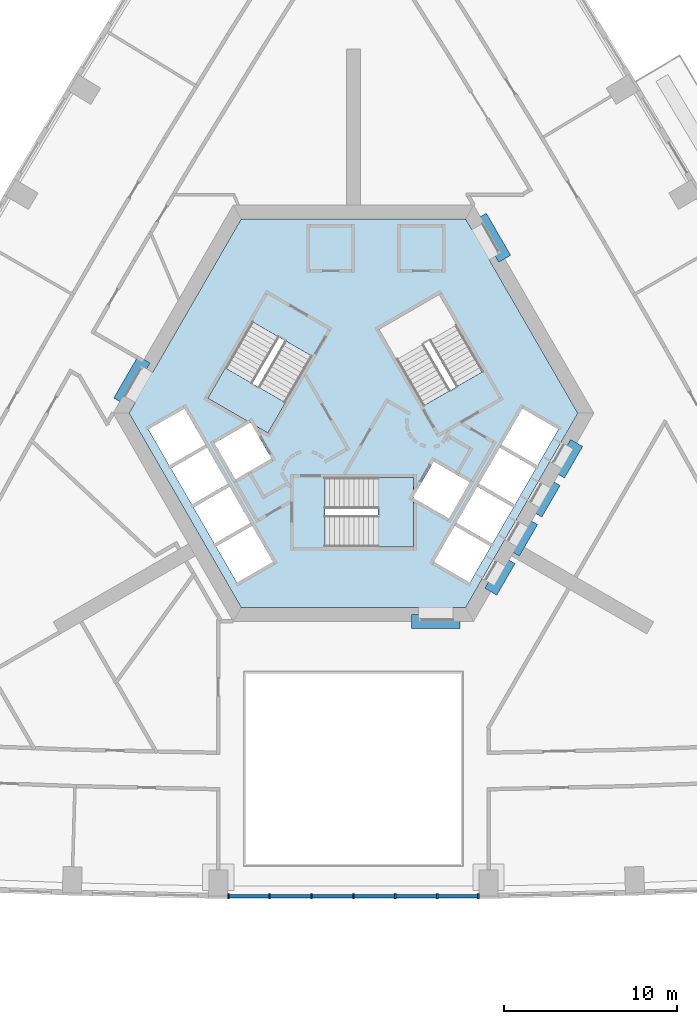
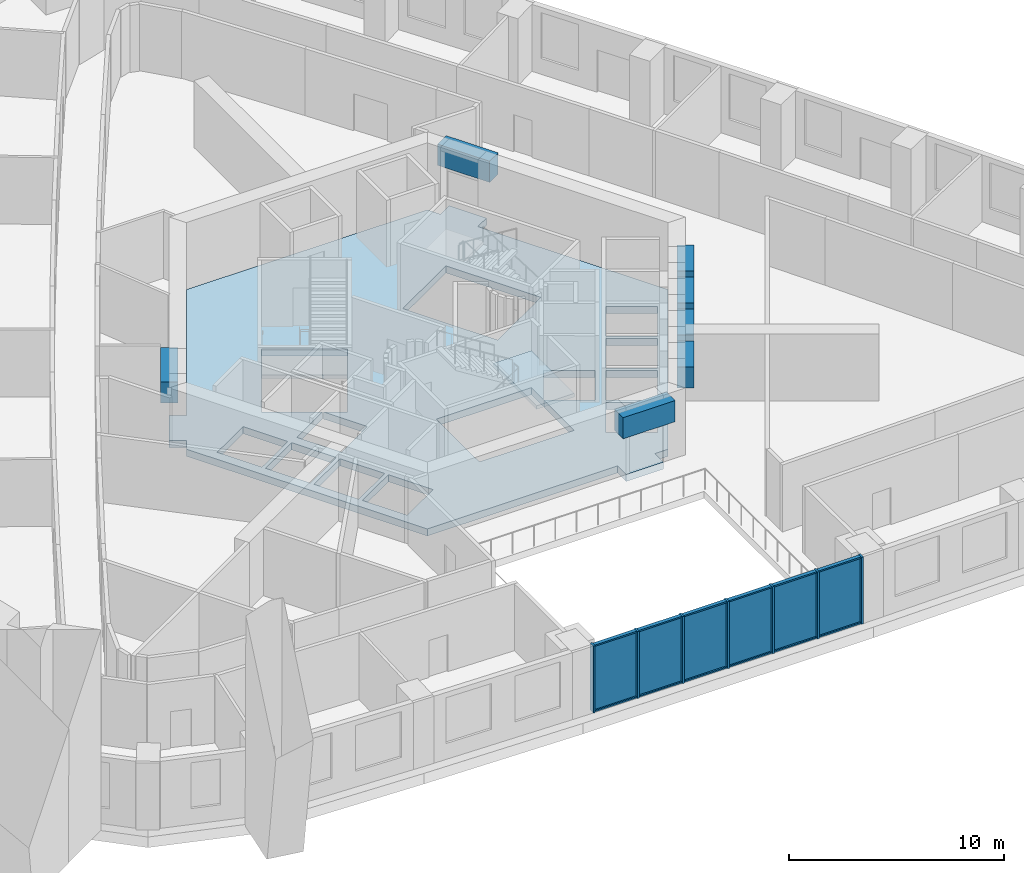
# One storey, part 2 of 14: 19 members, 7 beams, 6 plates, 3 slabs, 3 elements without a shape of their own.
"""IFC4 building model written with IfcOpenShell, lengths in metres."""

from ifc_helpers import new_model, si_unit, direction, frame, origin, origin_2d, place, context, subcontext, project, spatial, polyline, rectangle, outline, extrude, material, layer, layer_set, material_profile, profile_set, type_object, element, aggregate, save


model = new_model("IFC4")

# Units and contexts
model_context = context("Model", 3, precision=1e-05, world=origin(), true_north=direction((0.0, 1.0)))
body_context = subcontext(model_context, "Body", "Model", "MODEL_VIEW")
ifc_project = project(units=[si_unit("LENGTHUNIT", "METRE"), si_unit("AREAUNIT", "SQUARE_METRE"), si_unit("VOLUMEUNIT", "CUBIC_METRE"), si_unit("PLANEANGLEUNIT", "RADIAN"), si_unit("MASSUNIT", "GRAM", prefix="KILO")], contexts=[model_context])

# Site, building, storey
site_placement = place(None, origin())
site = spatial("IfcSite", under=ifc_project, at=site_placement, CompositionType="ELEMENT")
building_placement = place(site_placement, origin())
building = spatial("IfcBuilding", under=site, at=building_placement, Name="Entoto Arch Interchange Tower", CompositionType="ELEMENT")
storey_placement = place(building_placement, frame((0.0, 0.0, 163.39990234375)))
storey = spatial("IfcBuildingStorey", under=building, at=storey_placement, Name="L36", CompositionType="ELEMENT", Elevation=163.39990234375)

# Beams
ifc_material_1 = material(Name="Concrete C50/60", Category="concrete")
ifc_material_profile_1 = material_profile(ifc_material_1, rectangle(XDim=0.800048828125, YDim=1.199951171875, at=origin_2d()))
ifc_profile_set_1 = profile_set([ifc_material_profile_1], Name="Concrete C50/60")
beam_type = type_object("IfcBeamType", Name="Coupling beam RC 800x1200 C50/60", PredefinedType="BEAM", material=ifc_profile_set_1)
for number, where, z_axis, x_axis, name in (
    (1, (8.717041015625, 11.402099609375, 3.0), (-0.500200581029, 0.865909567298, 0.0), (-0.865909567298, -0.500200581029, 0.0), "Coupling beam NE L36"),
    (2, (-12.06689453125, 5.597900390625, 3.0), (-0.500200581029, -0.865909567298, 0.0), (0.865909567298, -0.500200581029, 0.0), "Coupling beam NW L36"),
):
    element("IfcBeam", number, at=place(storey_placement, frame(where, z_axis=z_axis, x_axis=x_axis)), inside=storey, type_object=beam_type, Name=name, PredefinedType="BEAM", context=body_context, shape_type="SweptSolid", body=[
        extrude(rectangle(XDim=0.800048828125, YDim=1.199951171875, at=origin_2d()), origin(), (0.0, 0.0, 1.0), 2.799072265625),
    ])
beam_1_placement = place(storey_placement, frame((3.35009765625, -9.5, 3.0), z_axis=(1.0, 0.0, 0.0), x_axis=(0.0, 1.0, 0.0)))
element("IfcBeam", 3, at=beam_1_placement, inside=storey, type_object=beam_type, Name="Coupling beam S L36", PredefinedType="BEAM", context=body_context, shape_type="SweptSolid", body=[
    extrude(rectangle(XDim=0.800048828125, YDim=1.199951171875, at=origin_2d()), origin(), (0.0, 0.0, 1.0), 2.7998046875),
])
for number, where, z_axis, x_axis, name in (
    (4, (7.9169921875, -7.785888671875, 3.0), (0.500178781653, 0.865922159541, 0.0), (-0.865922159541, 0.500178781653, 0.0), "Coupling beam SE L36"),
    (5, (9.217041015625, -5.534912109375, 3.0), (0.500178781653, 0.865922159541, 0.0), (-0.865922159541, 0.500178781653, 0.0), "Coupling beam SE L36"),
):
    element("IfcBeam", number, at=place(storey_placement, frame(where, z_axis=z_axis, x_axis=x_axis)), inside=storey, type_object=beam_type, Name=name, PredefinedType="BEAM", context=body_context, shape_type="SweptSolid", body=[
        extrude(rectangle(XDim=0.800048828125, YDim=1.199951171875, at=origin_2d()), origin(), (0.0, 0.0, 1.0), 2.099365234375),
    ])
beam_2_placement = place(storey_placement, frame((10.51708984375, -3.282958984375, 3.0), z_axis=(0.500091574638, 0.865972526687, 0.0), x_axis=(-0.865972526687, 0.500091574638, 0.0)))
element("IfcBeam", 6, at=beam_2_placement, inside=storey, type_object=beam_type, Name="Coupling beam SE L36", PredefinedType="BEAM", context=body_context, shape_type="SweptSolid", body=[
    extrude(rectangle(XDim=0.800048828125, YDim=1.199951171875, at=origin_2d()), origin(), (0.0, 0.0, 1.0), 2.09912109375),
])
beam_3_placement = place(storey_placement, frame((11.81689453125, -1.031982421875, 3.0), z_axis=(0.500178781653, 0.865922159541, 0.0), x_axis=(-0.865922159541, 0.500178781653, 0.0)))
element("IfcBeam", 7, at=beam_3_placement, inside=storey, type_object=beam_type, Name="Coupling beam SE L36", PredefinedType="BEAM", context=body_context, shape_type="SweptSolid", body=[
    extrude(rectangle(XDim=0.800048828125, YDim=1.199951171875, at=origin_2d()), origin(), (0.0, 0.0, 1.0), 2.099365234375),
])

# Curtain wall, members
ifc_material_2 = material(Name="Aluminium, anodised", Category="aluminium")
curtain_wall_type = type_object("IfcCurtainWallType", Name="CURTAIN WALL ATRIUM", PredefinedType="NOTDEFINED", material=ifc_material_2)
curtain_wall_placement = place(storey_placement, origin())
curtain_wall = element("IfcCurtainWall", 8, at=curtain_wall_placement, inside=storey, type_object=curtain_wall_type, Name="Atrium glazing S-03 L36", PredefinedType="NOTDEFINED")
ifc_material_profile_2 = material_profile(ifc_material_2, rectangle(XDim=0.300048828125, YDim=0.10009765625, at=origin_2d()))
ifc_profile_set_2 = profile_set([ifc_material_profile_2], Name="Aluminium, anodised")
member_type_1 = type_object("IfcMemberType", Name="MULLION ATRIUM 100x300", PredefinedType="MULLION", material=ifc_profile_set_2)
member_1_placement = place(storey_placement, frame((-7.198974609375, -25.347900390625, 0.0), z_axis=(0.0, 0.0, 1.0), x_axis=(0.0, 1.0, 0.0)))
member_1 = element("IfcMember", 9, at=member_1_placement, type_object=member_type_1, Name="CWA mullion 1", PredefinedType="MULLION", context=body_context, shape_type="SweptSolid", body=[
    extrude(rectangle(XDim=0.300048828125, YDim=0.10009765625, at=origin_2d()), origin(), (0.0, 0.0, 1.0), 3.800048828125),
])
member_2_placement = place(storey_placement, frame((-4.832763671875, -25.347900390625, 0.0), z_axis=(0.0, 0.0, 1.0), x_axis=(0.0, 1.0, 0.0)))
member_2 = element("IfcMember", 10, at=member_2_placement, type_object=member_type_1, Name="CWA mullion 2", PredefinedType="MULLION", context=body_context, shape_type="SweptSolid", body=[
    extrude(rectangle(XDim=0.300048828125, YDim=0.10009765625, at=origin_2d()), origin(), (0.0, 0.0, 1.0), 3.800048828125),
])
member_3_placement = place(storey_placement, frame((-2.416259765625, -25.347900390625, 0.0), z_axis=(0.0, 0.0, 1.0), x_axis=(0.0, 1.0, 0.0)))
member_3 = element("IfcMember", 11, at=member_3_placement, type_object=member_type_1, Name="CWA mullion 3", PredefinedType="MULLION", context=body_context, shape_type="SweptSolid", body=[
    extrude(rectangle(XDim=0.300048828125, YDim=0.10009765625, at=origin_2d()), origin(), (0.0, 0.0, 1.0), 3.800048828125),
])
member_4_placement = place(storey_placement, frame((0.0, -25.347900390625, 0.0), z_axis=(0.0, 0.0, 1.0), x_axis=(0.0, 1.0, 0.0)))
member_4 = element("IfcMember", 12, at=member_4_placement, type_object=member_type_1, Name="CWA mullion 4", PredefinedType="MULLION", context=body_context, shape_type="SweptSolid", body=[
    extrude(rectangle(XDim=0.300048828125, YDim=0.10009765625, at=origin_2d()), origin(), (0.0, 0.0, 1.0), 3.800048828125),
])
member_5_placement = place(storey_placement, frame((2.416259765625, -25.347900390625, 0.0), z_axis=(0.0, 0.0, 1.0), x_axis=(0.0, 1.0, 0.0)))
member_5 = element("IfcMember", 13, at=member_5_placement, type_object=member_type_1, Name="CWA mullion 5", PredefinedType="MULLION", context=body_context, shape_type="SweptSolid", body=[
    extrude(rectangle(XDim=0.300048828125, YDim=0.10009765625, at=origin_2d()), origin(), (0.0, 0.0, 1.0), 3.800048828125),
])
member_6_placement = place(storey_placement, frame((4.832763671875, -25.347900390625, 0.0), z_axis=(0.0, 0.0, 1.0), x_axis=(0.0, 1.0, 0.0)))
member_6 = element("IfcMember", 14, at=member_6_placement, type_object=member_type_1, Name="CWA mullion 6", PredefinedType="MULLION", context=body_context, shape_type="SweptSolid", body=[
    extrude(rectangle(XDim=0.300048828125, YDim=0.10009765625, at=origin_2d()), origin(), (0.0, 0.0, 1.0), 3.800048828125),
])
member_7_placement = place(storey_placement, frame((7.198974609375, -25.347900390625, 0.0), z_axis=(0.0, 0.0, 1.0), x_axis=(0.0, 1.0, 0.0)))
member_7 = element("IfcMember", 15, at=member_7_placement, type_object=member_type_1, Name="CWA mullion 7", PredefinedType="MULLION", context=body_context, shape_type="SweptSolid", body=[
    extrude(rectangle(XDim=0.300048828125, YDim=0.10009765625, at=origin_2d()), origin(), (0.0, 0.0, 1.0), 3.800048828125),
])
ifc_material_profile_3 = material_profile(ifc_material_2, rectangle(XDim=0.199951171875, YDim=0.080078125, at=origin_2d()))
ifc_profile_set_3 = profile_set([ifc_material_profile_3], Name="Aluminium, anodised")
member_type_2 = type_object("IfcMemberType", Name="TRANSOM ATRIUM 80x200", PredefinedType="USERDEFINED", material=ifc_profile_set_3)
member_8_placement = place(storey_placement, frame((-7.14892578125, -25.347900390625, 0.0400390625), z_axis=(1.0, 0.0, 0.0), x_axis=(0.0, 1.0, 0.0)))
member_8 = element("IfcMember", 16, at=member_8_placement, type_object=member_type_2, Name="CWA transom 1.1", ObjectType="TRANSOM", PredefinedType="USERDEFINED", context=body_context, shape_type="SweptSolid", body=[
    extrude(rectangle(XDim=0.199951171875, YDim=0.080078125, at=origin_2d()), origin(), (0.0, 0.0, 1.0), 2.266357421875),
])
member_9_placement = place(storey_placement, frame((-7.14892578125, -25.347900390625, 3.760009765625), z_axis=(1.0, 0.0, 0.0), x_axis=(0.0, 1.0, 0.0)))
member_9 = element("IfcMember", 17, at=member_9_placement, type_object=member_type_2, Name="CWA transom 1.2", ObjectType="TRANSOM", PredefinedType="USERDEFINED", context=body_context, shape_type="SweptSolid", body=[
    extrude(rectangle(XDim=0.199951171875, YDim=0.080078125, at=origin_2d()), origin(), (0.0, 0.0, 1.0), 2.266357421875),
])
member_10_placement = place(storey_placement, frame((-4.78271484375, -25.347900390625, 0.0400390625), z_axis=(1.0, 0.0, 0.0), x_axis=(0.0, 1.0, 0.0)))
member_10 = element("IfcMember", 18, at=member_10_placement, type_object=member_type_2, Name="CWA transom 2.1", ObjectType="TRANSOM", PredefinedType="USERDEFINED", context=body_context, shape_type="SweptSolid", body=[
    extrude(rectangle(XDim=0.199951171875, YDim=0.080078125, at=origin_2d()), origin(), (0.0, 0.0, 1.0), 2.31640625),
])
member_11_placement = place(storey_placement, frame((-4.78271484375, -25.347900390625, 3.760009765625), z_axis=(1.0, 0.0, 0.0), x_axis=(0.0, 1.0, 0.0)))
member_11 = element("IfcMember", 19, at=member_11_placement, type_object=member_type_2, Name="CWA transom 2.2", ObjectType="TRANSOM", PredefinedType="USERDEFINED", context=body_context, shape_type="SweptSolid", body=[
    extrude(rectangle(XDim=0.199951171875, YDim=0.080078125, at=origin_2d()), origin(), (0.0, 0.0, 1.0), 2.31640625),
])
member_12_placement = place(storey_placement, frame((-2.366455078125, -25.347900390625, 0.0400390625), z_axis=(1.0, 0.0, 0.0), x_axis=(0.0, 1.0, 0.0)))
member_12 = element("IfcMember", 20, at=member_12_placement, type_object=member_type_2, Name="CWA transom 3.1", ObjectType="TRANSOM", PredefinedType="USERDEFINED", context=body_context, shape_type="SweptSolid", body=[
    extrude(rectangle(XDim=0.199951171875, YDim=0.080078125, at=origin_2d()), origin(), (0.0, 0.0, 1.0), 2.31640625),
])
member_13_placement = place(storey_placement, frame((-2.366455078125, -25.347900390625, 3.760009765625), z_axis=(1.0, 0.0, 0.0), x_axis=(0.0, 1.0, 0.0)))
member_13 = element("IfcMember", 21, at=member_13_placement, type_object=member_type_2, Name="CWA transom 3.2", ObjectType="TRANSOM", PredefinedType="USERDEFINED", context=body_context, shape_type="SweptSolid", body=[
    extrude(rectangle(XDim=0.199951171875, YDim=0.080078125, at=origin_2d()), origin(), (0.0, 0.0, 1.0), 2.31640625),
])
member_14_placement = place(storey_placement, frame((0.050048828125, -25.347900390625, 0.0400390625), z_axis=(1.0, 0.0, 0.0), x_axis=(0.0, 1.0, 0.0)))
member_14 = element("IfcMember", 22, at=member_14_placement, type_object=member_type_2, Name="CWA transom 4.1", ObjectType="TRANSOM", PredefinedType="USERDEFINED", context=body_context, shape_type="SweptSolid", body=[
    extrude(rectangle(XDim=0.199951171875, YDim=0.080078125, at=origin_2d()), origin(), (0.0, 0.0, 1.0), 2.31640625),
])
member_15_placement = place(storey_placement, frame((0.050048828125, -25.347900390625, 3.760009765625), z_axis=(1.0, 0.0, 0.0), x_axis=(0.0, 1.0, 0.0)))
member_15 = element("IfcMember", 23, at=member_15_placement, type_object=member_type_2, Name="CWA transom 4.2", ObjectType="TRANSOM", PredefinedType="USERDEFINED", context=body_context, shape_type="SweptSolid", body=[
    extrude(rectangle(XDim=0.199951171875, YDim=0.080078125, at=origin_2d()), origin(), (0.0, 0.0, 1.0), 2.31640625),
])
member_16_placement = place(storey_placement, frame((2.46630859375, -25.347900390625, 0.0400390625), z_axis=(1.0, 0.0, 0.0), x_axis=(0.0, 1.0, 0.0)))
member_16 = element("IfcMember", 24, at=member_16_placement, type_object=member_type_2, Name="CWA transom 5.1", ObjectType="TRANSOM", PredefinedType="USERDEFINED", context=body_context, shape_type="SweptSolid", body=[
    extrude(rectangle(XDim=0.199951171875, YDim=0.080078125, at=origin_2d()), origin(), (0.0, 0.0, 1.0), 2.31640625),
])
member_17_placement = place(storey_placement, frame((2.46630859375, -25.347900390625, 3.760009765625), z_axis=(1.0, 0.0, 0.0), x_axis=(0.0, 1.0, 0.0)))
member_17 = element("IfcMember", 25, at=member_17_placement, type_object=member_type_2, Name="CWA transom 5.2", ObjectType="TRANSOM", PredefinedType="USERDEFINED", context=body_context, shape_type="SweptSolid", body=[
    extrude(rectangle(XDim=0.199951171875, YDim=0.080078125, at=origin_2d()), origin(), (0.0, 0.0, 1.0), 2.31640625),
])
member_18_placement = place(storey_placement, frame((4.882568359375, -25.347900390625, 0.0400390625), z_axis=(1.0, 0.0, 0.0), x_axis=(0.0, 1.0, 0.0)))
member_18 = element("IfcMember", 26, at=member_18_placement, type_object=member_type_2, Name="CWA transom 6.1", ObjectType="TRANSOM", PredefinedType="USERDEFINED", context=body_context, shape_type="SweptSolid", body=[
    extrude(rectangle(XDim=0.199951171875, YDim=0.080078125, at=origin_2d()), origin(), (0.0, 0.0, 1.0), 2.266357421875),
])
member_19_placement = place(storey_placement, frame((4.882568359375, -25.347900390625, 3.760009765625), z_axis=(1.0, 0.0, 0.0), x_axis=(0.0, 1.0, 0.0)))
member_19 = element("IfcMember", 27, at=member_19_placement, type_object=member_type_2, Name="CWA transom 6.2", ObjectType="TRANSOM", PredefinedType="USERDEFINED", context=body_context, shape_type="SweptSolid", body=[
    extrude(rectangle(XDim=0.199951171875, YDim=0.080078125, at=origin_2d()), origin(), (0.0, 0.0, 1.0), 2.266357421875),
])

# Slab
ifc_material_3 = material(Name="Concrete C40/50", Category="concrete")
ifc_layer_1 = layer(ifc_material_3, 0.39990234375)
ifc_layer_set_1 = layer_set([ifc_layer_1], Name="Concrete C40/50")
slab_type_1 = type_object("IfcSlabType", Name="Core floor slab 400 C40/50", PredefinedType="FLOOR", material=ifc_layer_set_1)
slab_1_placement = place(storey_placement, frame((0.0, 0.0, -0.39990234375)))
element("IfcSlab", 28, at=slab_1_placement, inside=storey, type_object=slab_type_1, Name="Core floor slab L36", PredefinedType="FLOOR", context=body_context, shape_type="SweptSolid", body=[
    extrude(outline(polyline([(5.75, -9.5), (3.75, -9.5), (3.75, -8.699951171875), (-6.466064453125, -8.699951171875), (-12.93310546875, 2.5), (-12.574951171875, 3.1201171875), (-13.26708984375, 3.52001953125), (-12.26708984375, 5.251953125), (-11.574951171875, 4.85205078125), (-6.466064453125, 13.699951171875), (6.466064453125, 13.699951171875), (6.823974609375, 13.080078125), (7.51708984375, 13.47998046875), (8.51708984375, 11.748046875), (7.823974609375, 11.347900390625), (12.93310546875, 2.5), (6.466064453125, -8.699951171875), (5.75, -8.699951171875), (5.75, -9.5)]), holes=[polyline([(-5.837890625, -3.988037109375), (-7.916015625, -5.18798828125), (-6.716064453125, -7.26708984375), (-4.637939453125, -6.06689453125), (-5.837890625, -3.988037109375)]), polyline([(-5.93798828125, -3.81494140625), (-7.137939453125, -1.737060546875), (-9.216064453125, -2.93701171875), (-8.01611328125, -5.014892578125), (-5.93798828125, -3.81494140625)]), polyline([(5.5048828125, -3.56494140625), (6.705078125, -1.487060546875), (4.626953125, -0.287109375), (3.449951171875, -2.324951171875), (3.449951171875, -1.199951171875), (-1.64990234375, -1.199951171875), (-1.64990234375, -5.199951171875), (3.449951171875, -5.199951171875), (3.449951171875, -2.3779296875), (5.5048828125, -3.56494140625)]), polyline([(-8.43798828125, 0.514892578125), (-10.51611328125, -0.68505859375), (-9.31591796875, -2.762939453125), (-7.238037109375, -1.56298828125), (-8.43798828125, 0.514892578125)]), polyline([(-4.72705078125, -0.113037109375), (-5.904052734375, 1.925048828125), (-4.928955078125, 1.362060546875), (-2.37890625, 5.779052734375), (-5.843017578125, 7.779052734375), (-8.39306640625, 3.362060546875), (-5.949951171875, 1.951904296875), (-8.0048828125, 0.764892578125), (-6.804931640625, -1.31298828125), (-4.72705078125, -0.113037109375)]), polyline([(-8.5380859375, 0.68798828125), (-9.738037109375, 2.76708984375), (-11.81591796875, 1.56689453125), (-10.615966796875, -0.511962890625), (-8.5380859375, 0.68798828125)]), polyline([(5.837890625, -3.988037109375), (4.637939453125, -6.06689453125), (6.716064453125, -7.26708984375), (7.916015625, -5.18798828125), (5.837890625, -3.988037109375)]), polyline([(7.137939453125, -1.737060546875), (5.93798828125, -3.81494140625), (8.01611328125, -5.014892578125), (9.216064453125, -2.93701171875), (7.137939453125, -1.737060546875)]), polyline([(8.43798828125, 0.514892578125), (7.238037109375, -1.56298828125), (9.31591796875, -2.762939453125), (10.51611328125, -0.68505859375), (8.43798828125, 0.514892578125)]), polyline([(9.738037109375, 2.76708984375), (8.5380859375, 0.68798828125), (10.615966796875, -0.511962890625), (11.81591796875, 1.56689453125), (9.738037109375, 2.76708984375)]), polyline([(4.029052734375, 2.9208984375), (7.492919921875, 4.9208984375), (4.943115234375, 9.337890625), (1.47900390625, 7.337890625), (4.029052734375, 2.9208984375)])]), origin(), (0.0, 0.0, 1.0), 0.39990234375),
])

# Stair, slab
stair_type = type_object("IfcStairType", Name="EXIT STAIR RC 1800", PredefinedType="HALF_TURN_STAIR", material=ifc_material_3)
stair_1_placement = place(storey_placement, origin())
stair_1 = element("IfcStair", 29, at=stair_1_placement, inside=storey, type_object=stair_type, Name="L36 Exit stair S", PredefinedType="HALF_TURN_STAIR")
ifc_layer_2 = layer(ifc_material_3, 0.199951171875)
ifc_layer_set_2 = layer_set([ifc_layer_2], Name="Concrete C40/50")
slab_type_2 = type_object("IfcSlabType", Name="EXIT STAIR LANDING RC 200", PredefinedType="LANDING", material=ifc_layer_set_2)
slab_2_placement = place(storey_placement, frame((0.0, 0.0, 1.900146484375)))
slab_2 = element("IfcSlab", 30, at=slab_2_placement, type_object=slab_type_2, Name="ST-S landing 1", PredefinedType="LANDING", context=body_context, shape_type="SweptSolid", body=[
    extrude(outline(polyline([(1.429931640625, -5.199951171875), (3.449951171875, -5.199951171875), (3.449951171875, -1.199951171875), (1.429931640625, -1.199951171875), (1.429931640625, -5.199951171875)])), origin(), (0.0, 0.0, 1.0), 0.199951171875),
])
aggregate(stair_1, [slab_2])

stair_2_placement = place(storey_placement, origin())
stair_2 = element("IfcStair", 31, at=stair_2_placement, inside=storey, type_object=stair_type, Name="L36 Exit stair NW", PredefinedType="HALF_TURN_STAIR")
slab_3_placement = place(storey_placement, frame((0.0, 0.0, 1.900146484375)))
slab_3 = element("IfcSlab", 32, at=slab_3_placement, type_object=slab_type_2, Name="ST-NW landing 1", PredefinedType="LANDING", context=body_context, shape_type="SweptSolid", body=[
    extrude(outline(polyline([(-7.38330078125, 5.111572265625), (-8.393310546875, 3.3623046875), (-4.92919921875, 1.3623046875), (-3.919189453125, 3.111572265625), (-7.38330078125, 5.111572265625)])), origin(), (0.0, 0.0, 1.0), 0.199951171875),
])
aggregate(stair_2, [slab_3])

# Plate
ifc_material_4 = material(Name="Clear glass, low-e double glazed", Category="glass")
ifc_layer_3 = layer(ifc_material_4, 0.031982421875)
ifc_layer_set_3 = layer_set([ifc_layer_3], Name="Clear glass, low-e double glazed")
plate_type = type_object("IfcPlateType", Name="GLAZING PANEL ATRIUM 32", PredefinedType="CURTAIN_PANEL", material=ifc_layer_set_3)
plate_1_placement = place(storey_placement, frame((-6.015869140625, -25.347900390625, 0.080078125), z_axis=(0.0, 0.0, 1.0), x_axis=(1.0, 0.0, 0.0)))
plate_1 = element("IfcPlate", 33, at=plate_1_placement, type_object=plate_type, Name="CWA panel 1.1", PredefinedType="CURTAIN_PANEL", context=body_context, shape_type="SweptSolid", body=[
    extrude(rectangle(XDim=2.266357421875, YDim=0.031982421875, at=origin_2d()), origin(), (0.0, 0.0, 1.0), 3.639892578125),
])

plate_2_placement = place(storey_placement, frame((-3.62451171875, -25.347900390625, 0.080078125), z_axis=(0.0, 0.0, 1.0), x_axis=(1.0, 0.0, 0.0)))
plate_2 = element("IfcPlate", 34, at=plate_2_placement, type_object=plate_type, Name="CWA panel 2.1", PredefinedType="CURTAIN_PANEL", context=body_context, shape_type="SweptSolid", body=[
    extrude(rectangle(XDim=2.31640625, YDim=0.031982421875, at=origin_2d()), origin(), (0.0, 0.0, 1.0), 3.639892578125),
])

plate_3_placement = place(storey_placement, frame((-1.208251953125, -25.347900390625, 0.080078125), z_axis=(0.0, 0.0, 1.0), x_axis=(1.0, 0.0, 0.0)))
plate_3 = element("IfcPlate", 35, at=plate_3_placement, type_object=plate_type, Name="CWA panel 3.1", PredefinedType="CURTAIN_PANEL", context=body_context, shape_type="SweptSolid", body=[
    extrude(rectangle(XDim=2.31640625, YDim=0.031982421875, at=origin_2d()), origin(), (0.0, 0.0, 1.0), 3.639892578125),
])

plate_4_placement = place(storey_placement, frame((1.208251953125, -25.347900390625, 0.080078125), z_axis=(0.0, 0.0, 1.0), x_axis=(1.0, 0.0, 0.0)))
plate_4 = element("IfcPlate", 36, at=plate_4_placement, type_object=plate_type, Name="CWA panel 4.1", PredefinedType="CURTAIN_PANEL", context=body_context, shape_type="SweptSolid", body=[
    extrude(rectangle(XDim=2.31640625, YDim=0.031982421875, at=origin_2d()), origin(), (0.0, 0.0, 1.0), 3.639892578125),
])

plate_5_placement = place(storey_placement, frame((3.62451171875, -25.347900390625, 0.080078125), z_axis=(0.0, 0.0, 1.0), x_axis=(1.0, 0.0, 0.0)))
plate_5 = element("IfcPlate", 37, at=plate_5_placement, type_object=plate_type, Name="CWA panel 5.1", PredefinedType="CURTAIN_PANEL", context=body_context, shape_type="SweptSolid", body=[
    extrude(rectangle(XDim=2.31640625, YDim=0.031982421875, at=origin_2d()), origin(), (0.0, 0.0, 1.0), 3.639892578125),
])

plate_6_placement = place(storey_placement, frame((6.015869140625, -25.347900390625, 0.080078125), z_axis=(0.0, 0.0, 1.0), x_axis=(1.0, 0.0, 0.0)))
plate_6 = element("IfcPlate", 38, at=plate_6_placement, type_object=plate_type, Name="CWA panel 6.1", PredefinedType="CURTAIN_PANEL", context=body_context, shape_type="SweptSolid", body=[
    extrude(rectangle(XDim=2.266357421875, YDim=0.031982421875, at=origin_2d()), origin(), (0.0, 0.0, 1.0), 3.639892578125),
])

aggregate(curtain_wall, [member_1, member_2, member_3, member_4, member_5, member_6, member_7, member_8, member_9, plate_1, member_10, member_11, plate_2, member_12, member_13, plate_3, member_14, member_15, plate_4, member_16, member_17, plate_5, member_18, member_19, plate_6])

save(model, "model.ifc")
